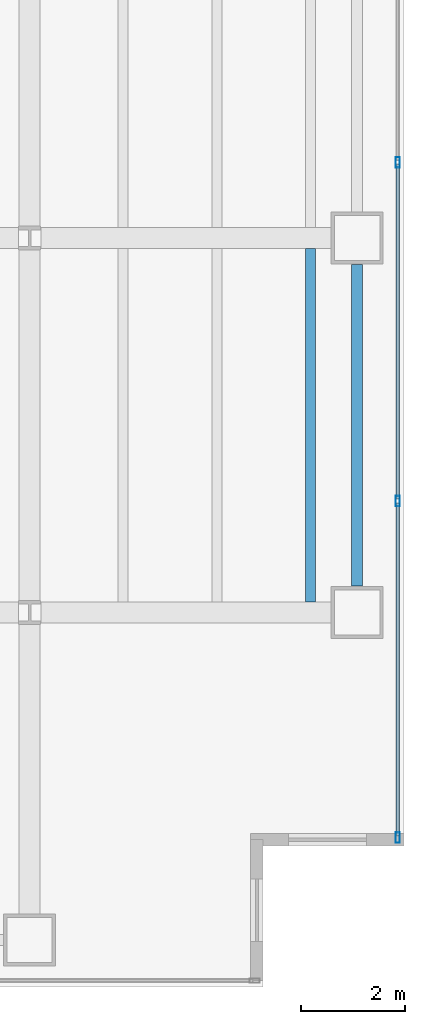
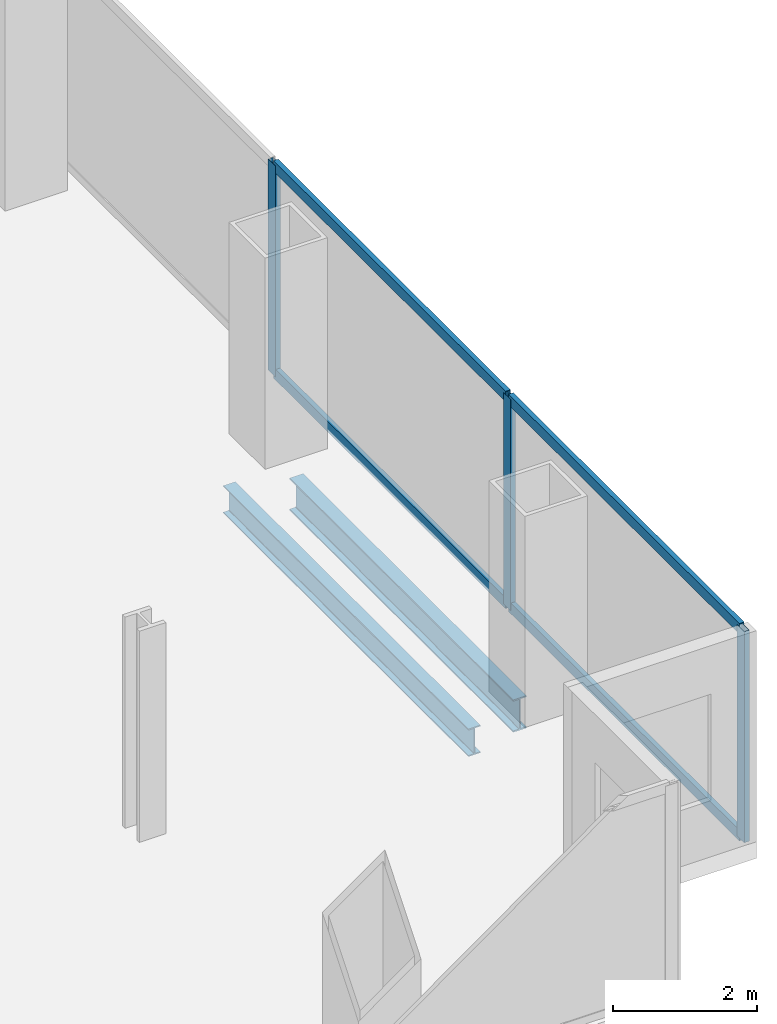
# One storey, part 10 of 23: 7 members, 2 beams, 1 element without a shape of its own.
"""IFC4 building model written with IfcOpenShell, lengths in metres."""

from ifc_helpers import new_model, si_unit, direction, frame, origin, origin_2d, place, context, subcontext, project, spatial, hollow_rectangle, i_section, extrude, material, material_profile, profile_set, type_object, element, aggregate, save


model = new_model("IFC4")

# Units and contexts
model_context = context("Model", 3, precision=1e-05, world=origin(), true_north=direction((0.0, 1.0)))
body_context = subcontext(model_context, "Body", "Model", "MODEL_VIEW")
ifc_project = project(units=[si_unit("LENGTHUNIT", "METRE"), si_unit("AREAUNIT", "SQUARE_METRE"), si_unit("VOLUMEUNIT", "CUBIC_METRE"), si_unit("PLANEANGLEUNIT", "RADIAN"), si_unit("MASSUNIT", "GRAM", prefix="KILO")], contexts=[model_context])

# Site, building, storey
site_placement = place(None, origin())
site = spatial("IfcSite", under=ifc_project, at=site_placement, CompositionType="ELEMENT")
building_placement = place(site_placement, origin())
building = spatial("IfcBuilding", under=site, at=building_placement, Name="Cobrela Telecom Tower", CompositionType="ELEMENT")
storey_placement = place(building_placement, frame((0.0, 0.0, 65.800048828125)))
storey = spatial("IfcBuildingStorey", under=building, at=storey_placement, Name="L16", CompositionType="ELEMENT", Elevation=65.800048828125)

# Beams
ifc_material_1 = material(Name="Steel ASTM A992 Grade 50", Category="steel")
ifc_material_profile_1 = material_profile(ifc_material_1, i_section(OverallWidth=0.193115234375, OverallDepth=0.467041015625, WebThickness=0.011474609375, FlangeThickness=0.01904296875, FilletRadius=0.012939453125, at=origin_2d()), Name="W18X65")
ifc_profile_set_1 = profile_set([ifc_material_profile_1], Name="Steel ASTM A992 Grade 50")
beam_type_1 = type_object("IfcBeamType", Name="BM-JOIST-03", PredefinedType="JOIST", material=ifc_profile_set_1)
beam_1_placement = place(storey_placement, frame((48.60009765625, 7.404541015625, -0.513427734375), z_axis=(0.0, 1.0, 0.0), x_axis=(-1.0, 0.0, 0.0)))
element("IfcBeam", 1, at=beam_1_placement, inside=storey, type_object=beam_type_1, Name="L16 Secondary Composite Floor Beam J63", PredefinedType="JOIST", context=body_context, shape_type="SweptSolid", body=[
    extrude(i_section(OverallWidth=0.193115234375, OverallDepth=0.467041015625, WebThickness=0.011474609375, FlangeThickness=0.01904296875, FilletRadius=0.012939453125, at=origin_2d()), origin(), (0.0, 0.0, 1.0), 6.791015625),
])
ifc_material_profile_2 = material_profile(ifc_material_1, i_section(OverallWidth=0.212890625, OverallDepth=0.549072265625, WebThickness=0.0146484375, FlangeThickness=0.023681640625, FilletRadius=0.013916015625, at=origin_2d()), Name="W21X93")
ifc_profile_set_2 = profile_set([ifc_material_profile_2], Name="Steel ASTM A992 Grade 50")
beam_type_2 = type_object("IfcBeamType", Name="BM-SPAND-03", PredefinedType="SPANDREL", material=ifc_profile_set_2)
beam_2_placement = place(storey_placement, frame((49.5, 7.705078125, -0.554443359375), z_axis=(0.0, 1.0, 0.0), x_axis=(-1.0, 0.0, 0.0)))
element("IfcBeam", 2, at=beam_2_placement, inside=storey, type_object=beam_type_2, Name="L16 Perimeter Spandrel Y56", PredefinedType="SPANDREL", context=body_context, shape_type="SweptSolid", body=[
    extrude(i_section(OverallWidth=0.212890625, OverallDepth=0.549072265625, WebThickness=0.0146484375, FlangeThickness=0.023681640625, FilletRadius=0.013916015625, at=origin_2d()), origin(), (0.0, 0.0, 1.0), 6.18994140625),
])

# Curtain wall, members
ifc_material_2 = material(Name="Anodized Bronze Aluminium 6063-T6", Category="aluminium")
curtain_wall_type = type_object("IfcCurtainWallType", Name="CW-SYS-DATA", PredefinedType="USERDEFINED", material=ifc_material_2)
curtain_wall_placement = place(storey_placement, origin())
curtain_wall = element("IfcCurtainWall", 3, at=curtain_wall_placement, inside=storey, type_object=curtain_wall_type, Name="L16 Unitised Bronze Curtain Wall 14", ObjectType="UNITISED CURTAIN WALL", PredefinedType="USERDEFINED")
ifc_material_profile_3 = material_profile(ifc_material_2, hollow_rectangle(XDim=0.080078125, YDim=0.199951171875, WallThickness=0.00390625, at=origin_2d()), Name="ALU 80x200x4")
ifc_profile_set_3 = profile_set([ifc_material_profile_3], Name="Anodized Bronze Aluminium 6063-T6")
member_type_1 = type_object("IfcMemberType", Name="CW-SYS-DATA-MUL", PredefinedType="MULLION", material=ifc_profile_set_3)
member_1_placement = place(storey_placement, frame((50.280029296875, 15.856689453125, 0.0), z_axis=(0.0, 0.0, 1.0), x_axis=(1.0, 0.0, 0.0)))
member_1 = element("IfcMember", 4, at=member_1_placement, type_object=member_type_1, Name="CW-DATA mullion 2", PredefinedType="MULLION", context=body_context, shape_type="SweptSolid", body=[
    extrude(hollow_rectangle(XDim=0.080078125, YDim=0.199951171875, WallThickness=0.00390625, at=origin_2d()), origin(), (0.0, 0.0, 1.0), 3.570068359375),
])
member_2_placement = place(storey_placement, frame((50.280029296875, 9.34326171875, 0.0), z_axis=(0.0, 0.0, 1.0), x_axis=(1.0, 0.0, 0.0)))
member_2 = element("IfcMember", 5, at=member_2_placement, type_object=member_type_1, Name="CW-DATA mullion 3", PredefinedType="MULLION", context=body_context, shape_type="SweptSolid", body=[
    extrude(hollow_rectangle(XDim=0.080078125, YDim=0.199951171875, WallThickness=0.00390625, at=origin_2d()), origin(), (0.0, 0.0, 1.0), 3.570068359375),
])
member_3_placement = place(storey_placement, frame((50.280029296875, 2.8701171875, 0.0), z_axis=(0.0, 0.0, 1.0), x_axis=(1.0, 0.0, 0.0)))
member_3 = element("IfcMember", 6, at=member_3_placement, type_object=member_type_1, Name="CW-DATA mullion 4", PredefinedType="MULLION", context=body_context, shape_type="SweptSolid", body=[
    extrude(hollow_rectangle(XDim=0.080078125, YDim=0.199951171875, WallThickness=0.00390625, at=origin_2d()), origin(), (0.0, 0.0, 1.0), 3.570068359375),
])
ifc_material_profile_4 = material_profile(ifc_material_2, hollow_rectangle(XDim=0.074951171875, YDim=0.179931640625, WallThickness=0.00390625, at=origin_2d()), Name="ALU 75x180x4")
ifc_profile_set_4 = profile_set([ifc_material_profile_4], Name="Anodized Bronze Aluminium 6063-T6")
member_type_2 = type_object("IfcMemberType", Name="CW-SYS-DATA-TRN", PredefinedType="USERDEFINED", material=ifc_profile_set_4)
member_4_placement = place(storey_placement, frame((50.280029296875, 15.816650390625, 0.037353515625), z_axis=(0.0, -1.0, 0.0), x_axis=(1.0, 0.0, 0.0)))
member_4 = element("IfcMember", 7, at=member_4_placement, type_object=member_type_2, Name="CW-DATA transom 2.1", ObjectType="TRANSOM", PredefinedType="USERDEFINED", context=body_context, shape_type="SweptSolid", body=[
    extrude(hollow_rectangle(XDim=0.074951171875, YDim=0.179931640625, WallThickness=0.00390625, at=origin_2d()), origin(), (0.0, 0.0, 1.0), 6.433349609375),
])
member_5_placement = place(storey_placement, frame((50.280029296875, 15.816650390625, 3.532470703125), z_axis=(0.0, -1.0, 0.0), x_axis=(1.0, 0.0, 0.0)))
member_5 = element("IfcMember", 8, at=member_5_placement, type_object=member_type_2, Name="CW-DATA transom 2.2", ObjectType="TRANSOM", PredefinedType="USERDEFINED", context=body_context, shape_type="SweptSolid", body=[
    extrude(hollow_rectangle(XDim=0.074951171875, YDim=0.179931640625, WallThickness=0.00390625, at=origin_2d()), origin(), (0.0, 0.0, 1.0), 6.433349609375),
])
member_6_placement = place(storey_placement, frame((50.280029296875, 9.30322265625, 0.037353515625), z_axis=(0.0, -1.0, 0.0), x_axis=(1.0, 0.0, 0.0)))
member_6 = element("IfcMember", 9, at=member_6_placement, type_object=member_type_2, Name="CW-DATA transom 3.1", ObjectType="TRANSOM", PredefinedType="USERDEFINED", context=body_context, shape_type="SweptSolid", body=[
    extrude(hollow_rectangle(XDim=0.074951171875, YDim=0.179931640625, WallThickness=0.00390625, at=origin_2d()), origin(), (0.0, 0.0, 1.0), 6.393310546875),
])
member_7_placement = place(storey_placement, frame((50.280029296875, 9.30322265625, 3.532470703125), z_axis=(0.0, -1.0, 0.0), x_axis=(1.0, 0.0, 0.0)))
member_7 = element("IfcMember", 10, at=member_7_placement, type_object=member_type_2, Name="CW-DATA transom 3.2", ObjectType="TRANSOM", PredefinedType="USERDEFINED", context=body_context, shape_type="SweptSolid", body=[
    extrude(hollow_rectangle(XDim=0.074951171875, YDim=0.179931640625, WallThickness=0.00390625, at=origin_2d()), origin(), (0.0, 0.0, 1.0), 6.393310546875),
])
aggregate(curtain_wall, [member_1, member_2, member_3, member_4, member_5, member_6, member_7])

save(model, "model.ifc")
